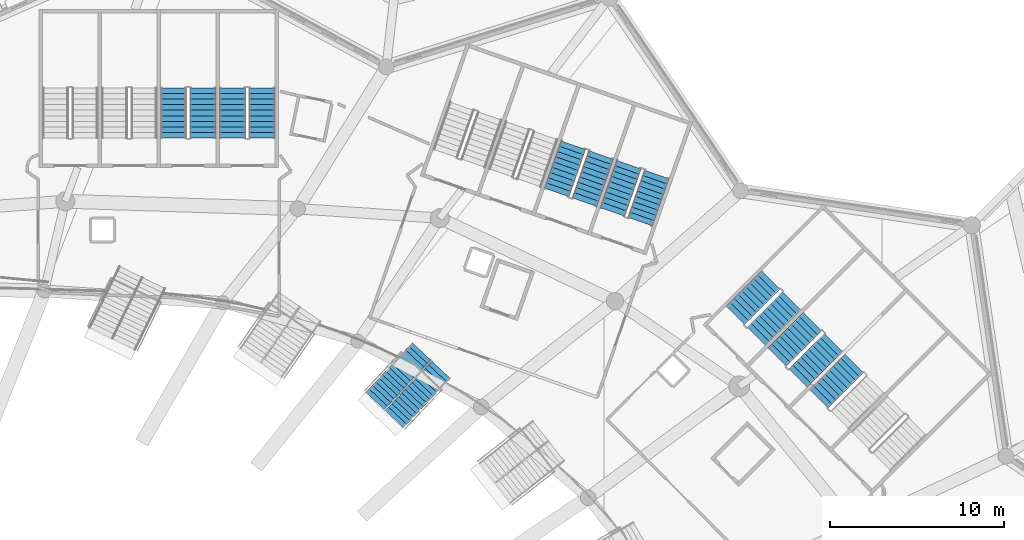
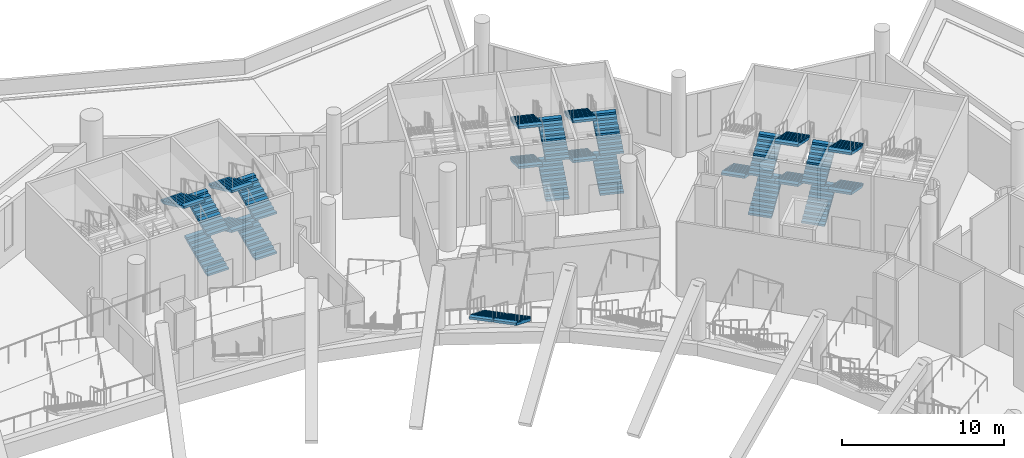
# One storey, part 101 of 173: 26 stair flights, 8 elements without a shape of their own.
"""IFC4 building model written with IfcOpenShell, lengths in metres."""

from ifc_helpers import new_model, si_unit, direction, frame, origin, place, context, subcontext, project, spatial, polyline, outline, extrude, material, type_object, element, aggregate, save


model = new_model("IFC4")

# Units and contexts
model_context = context("Model", 3, precision=1e-05, world=origin(), true_north=direction((0.0, 1.0)))
body_context = subcontext(model_context, "Body", "Model", "MODEL_VIEW")
ifc_project = project(units=[si_unit("LENGTHUNIT", "METRE"), si_unit("AREAUNIT", "SQUARE_METRE"), si_unit("VOLUMEUNIT", "CUBIC_METRE"), si_unit("PLANEANGLEUNIT", "RADIAN"), si_unit("MASSUNIT", "GRAM", prefix="KILO")], contexts=[model_context])

# Site, building, storey
site_placement = place(None, origin())
site = spatial("IfcSite", under=ifc_project, at=site_placement, CompositionType="ELEMENT")
building_placement = place(site_placement, origin())
building = spatial("IfcBuilding", under=site, at=building_placement, Name="Meseta Stadium", CompositionType="ELEMENT")
storey_placement = place(building_placement, frame((0.0, 0.0, 18.0)))
storey = spatial("IfcBuildingStorey", under=building, at=storey_placement, Name="L03", CompositionType="ELEMENT", Elevation=18.0)

# Stair, stair flights
ifc_material_1 = material(Name="Concrete C40/50", Category="concrete")
stair_type_1 = type_object("IfcStairType", Name="Exit stair 4 flights 150 mm risers", PredefinedType="HALF_TURN_STAIR", material=ifc_material_1)
stair_1_placement = place(storey_placement, origin())
stair_1 = element("IfcStair", 1, at=stair_1_placement, inside=storey, type_object=stair_type_1, Name="ST26 L03", PredefinedType="HALF_TURN_STAIR")
ifc_material_2 = material(Name="Concrete C40/50", Category="concrete")
stair_flight_type_1 = type_object("IfcStairFlightType", Name="Exit stair flight 150 mm risers, 4 per storey", PredefinedType="STRAIGHT", material=ifc_material_2)
stair_flight_1_placement = place(storey_placement, frame((78.40673828125, 81.20458984375, 1.5), z_axis=(0.0, 0.0, 1.0), x_axis=(-0.707106781187, -0.707106781187, 0.0)))
stair_flight_1 = element("IfcStairFlight", 2, at=stair_flight_1_placement, type_object=stair_flight_type_1, Name="ST26 L03 flight 2", NumberOfRisers=10, NumberOfTreads=9, PredefinedType="STRAIGHT", RiserHeight=0.15, TreadLength=0.32, context=body_context, shape_type="SweptSolid", body=[
    extrude(outline(polyline([(0.0, 0.0), (0.0, 0.14990234375), (0.320068359375, 0.14990234375), (0.320068359375, 0.300048828125), (0.639892578125, 0.300048828125), (0.639892578125, 0.449951171875), (0.9599609375, 0.449951171875), (0.9599609375, 0.60009765625), (1.280029296875, 0.60009765625), (1.280029296875, 0.75), (1.60009765625, 0.75), (1.60009765625, 0.89990234375), (1.919921875, 0.89990234375), (1.919921875, 1.050048828125), (2.239990234375, 1.050048828125), (2.239990234375, 1.199951171875), (2.56005859375, 1.199951171875), (2.56005859375, 1.35009765625), (2.8798828125, 1.35009765625), (2.8798828125, 1.184326171875), (0.353271484375, 0.0), (0.0, 0.0)])), frame((0.0, 0.75, 0.0), z_axis=(0.0, -1.0, 0.0), x_axis=(1.0, 0.0, 0.0)), (0.0, 0.0, 1.0), 1.5),
])
stair_flight_2_placement = place(storey_placement, frame((78.40673828125, 81.20458984375, 4.5), z_axis=(0.0, 0.0, 1.0), x_axis=(-0.707106781187, -0.707106781187, 0.0)))
stair_flight_2 = element("IfcStairFlight", 3, at=stair_flight_2_placement, type_object=stair_flight_type_1, Name="ST26 L03 flight 4", NumberOfRisers=10, NumberOfTreads=9, PredefinedType="STRAIGHT", RiserHeight=0.15, TreadLength=0.32, context=body_context, shape_type="SweptSolid", body=[
    extrude(outline(polyline([(0.0, 0.0), (0.0, 0.14990234375), (0.320068359375, 0.14990234375), (0.320068359375, 0.300048828125), (0.639892578125, 0.300048828125), (0.639892578125, 0.449951171875), (0.9599609375, 0.449951171875), (0.9599609375, 0.60009765625), (1.280029296875, 0.60009765625), (1.280029296875, 0.75), (1.60009765625, 0.75), (1.60009765625, 0.89990234375), (1.919921875, 0.89990234375), (1.919921875, 1.050048828125), (2.239990234375, 1.050048828125), (2.239990234375, 1.199951171875), (2.56005859375, 1.199951171875), (2.56005859375, 1.35009765625), (2.8798828125, 1.35009765625), (2.8798828125, 1.184326171875), (0.353271484375, 0.0), (0.0, 0.0)])), frame((0.0, 0.75, 0.0), z_axis=(0.0, -1.0, 0.0), x_axis=(1.0, 0.0, 0.0)), (0.0, 0.0, 1.0), 1.5),
])
aggregate(stair_1, [stair_flight_1, stair_flight_2])

stair_2_placement = place(storey_placement, origin())
stair_2 = element("IfcStair", 4, at=stair_2_placement, inside=storey, type_object=stair_type_1, Name="ST27 L03", PredefinedType="HALF_TURN_STAIR")
stair_flight_3_placement = place(storey_placement, frame((75.168212890625, 80.3701171875, 0.0), z_axis=(0.0, 0.0, 1.0), x_axis=(0.707106781187, 0.707106781187, 0.0)))
stair_flight_3 = element("IfcStairFlight", 5, at=stair_flight_3_placement, type_object=stair_flight_type_1, Name="ST27 L03 flight 1", NumberOfRisers=10, NumberOfTreads=9, PredefinedType="STRAIGHT", RiserHeight=0.15, TreadLength=0.32, context=body_context, shape_type="SweptSolid", body=[
    extrude(outline(polyline([(0.0, 0.0), (0.0, 0.14990234375), (0.320068359375, 0.14990234375), (0.320068359375, 0.300048828125), (0.639892578125, 0.300048828125), (0.639892578125, 0.449951171875), (0.9599609375, 0.449951171875), (0.9599609375, 0.60009765625), (1.280029296875, 0.60009765625), (1.280029296875, 0.75), (1.60009765625, 0.75), (1.60009765625, 0.89990234375), (1.919921875, 0.89990234375), (1.919921875, 1.050048828125), (2.239990234375, 1.050048828125), (2.239990234375, 1.199951171875), (2.56005859375, 1.199951171875), (2.56005859375, 1.35009765625), (2.8798828125, 1.35009765625), (2.8798828125, 1.184326171875), (0.353271484375, 0.0), (0.0, 0.0)])), frame((0.0, 0.75, 0.0), z_axis=(0.0, -1.0, 0.0), x_axis=(1.0, 0.0, 0.0)), (0.0, 0.0, 1.0), 1.5),
])
stair_flight_4_placement = place(storey_placement, frame((76.00244140625, 83.60888671875, 1.5), z_axis=(0.0, 0.0, 1.0), x_axis=(-0.707106781187, -0.707106781187, 0.0)))
stair_flight_4 = element("IfcStairFlight", 6, at=stair_flight_4_placement, type_object=stair_flight_type_1, Name="ST27 L03 flight 2", NumberOfRisers=10, NumberOfTreads=9, PredefinedType="STRAIGHT", RiserHeight=0.15, TreadLength=0.32, context=body_context, shape_type="SweptSolid", body=[
    extrude(outline(polyline([(0.0, 0.0), (0.0, 0.14990234375), (0.320068359375, 0.14990234375), (0.320068359375, 0.300048828125), (0.639892578125, 0.300048828125), (0.639892578125, 0.449951171875), (0.9599609375, 0.449951171875), (0.9599609375, 0.60009765625), (1.280029296875, 0.60009765625), (1.280029296875, 0.75), (1.60009765625, 0.75), (1.60009765625, 0.89990234375), (1.919921875, 0.89990234375), (1.919921875, 1.050048828125), (2.239990234375, 1.050048828125), (2.239990234375, 1.199951171875), (2.56005859375, 1.199951171875), (2.56005859375, 1.35009765625), (2.8798828125, 1.35009765625), (2.8798828125, 1.184326171875), (0.353271484375, 0.0), (0.0, 0.0)])), frame((0.0, 0.75, 0.0), z_axis=(0.0, -1.0, 0.0), x_axis=(1.0, 0.0, 0.0)), (0.0, 0.0, 1.0), 1.5),
])
stair_flight_5_placement = place(storey_placement, frame((75.168212890625, 80.3701171875, 3.0), z_axis=(0.0, 0.0, 1.0), x_axis=(0.707106781187, 0.707106781187, 0.0)))
stair_flight_5 = element("IfcStairFlight", 7, at=stair_flight_5_placement, type_object=stair_flight_type_1, Name="ST27 L03 flight 3", NumberOfRisers=10, NumberOfTreads=9, PredefinedType="STRAIGHT", RiserHeight=0.15, TreadLength=0.32, context=body_context, shape_type="SweptSolid", body=[
    extrude(outline(polyline([(0.0, 0.0), (0.0, 0.14990234375), (0.320068359375, 0.14990234375), (0.320068359375, 0.300048828125), (0.639892578125, 0.300048828125), (0.639892578125, 0.449951171875), (0.9599609375, 0.449951171875), (0.9599609375, 0.60009765625), (1.280029296875, 0.60009765625), (1.280029296875, 0.75), (1.60009765625, 0.75), (1.60009765625, 0.89990234375), (1.919921875, 0.89990234375), (1.919921875, 1.050048828125), (2.239990234375, 1.050048828125), (2.239990234375, 1.199951171875), (2.56005859375, 1.199951171875), (2.56005859375, 1.35009765625), (2.8798828125, 1.35009765625), (2.8798828125, 1.184326171875), (0.353271484375, 0.0), (0.0, 0.0)])), frame((0.0, 0.75, 0.0), z_axis=(0.0, -1.0, 0.0), x_axis=(1.0, 0.0, 0.0)), (0.0, 0.0, 1.0), 1.5),
])
stair_flight_6_placement = place(storey_placement, frame((76.00244140625, 83.60888671875, 4.5), z_axis=(0.0, 0.0, 1.0), x_axis=(-0.707106781187, -0.707106781187, 0.0)))
stair_flight_6 = element("IfcStairFlight", 8, at=stair_flight_6_placement, type_object=stair_flight_type_1, Name="ST27 L03 flight 4", NumberOfRisers=10, NumberOfTreads=9, PredefinedType="STRAIGHT", RiserHeight=0.15, TreadLength=0.32, context=body_context, shape_type="SweptSolid", body=[
    extrude(outline(polyline([(0.0, 0.0), (0.0, 0.14990234375), (0.320068359375, 0.14990234375), (0.320068359375, 0.300048828125), (0.639892578125, 0.300048828125), (0.639892578125, 0.449951171875), (0.9599609375, 0.449951171875), (0.9599609375, 0.60009765625), (1.280029296875, 0.60009765625), (1.280029296875, 0.75), (1.60009765625, 0.75), (1.60009765625, 0.89990234375), (1.919921875, 0.89990234375), (1.919921875, 1.050048828125), (2.239990234375, 1.050048828125), (2.239990234375, 1.199951171875), (2.56005859375, 1.199951171875), (2.56005859375, 1.35009765625), (2.8798828125, 1.35009765625), (2.8798828125, 1.184326171875), (0.353271484375, 0.0), (0.0, 0.0)])), frame((0.0, 0.75, 0.0), z_axis=(0.0, -1.0, 0.0), x_axis=(1.0, 0.0, 0.0)), (0.0, 0.0, 1.0), 1.5),
])
aggregate(stair_2, [stair_flight_3, stair_flight_4, stair_flight_5, stair_flight_6])

stair_3_placement = place(storey_placement, origin())
stair_3 = element("IfcStair", 9, at=stair_3_placement, inside=storey, type_object=stair_type_1, Name="ST28 L03", PredefinedType="HALF_TURN_STAIR")
stair_flight_7_placement = place(storey_placement, frame((72.763916015625, 82.7744140625, 0.0), z_axis=(0.0, 0.0, 1.0), x_axis=(0.707106781187, 0.707106781187, 0.0)))
stair_flight_7 = element("IfcStairFlight", 10, at=stair_flight_7_placement, type_object=stair_flight_type_1, Name="ST28 L03 flight 1", NumberOfRisers=10, NumberOfTreads=9, PredefinedType="STRAIGHT", RiserHeight=0.15, TreadLength=0.32, context=body_context, shape_type="SweptSolid", body=[
    extrude(outline(polyline([(0.0, 0.0), (0.0, 0.14990234375), (0.320068359375, 0.14990234375), (0.320068359375, 0.300048828125), (0.639892578125, 0.300048828125), (0.639892578125, 0.449951171875), (0.9599609375, 0.449951171875), (0.9599609375, 0.60009765625), (1.280029296875, 0.60009765625), (1.280029296875, 0.75), (1.60009765625, 0.75), (1.60009765625, 0.89990234375), (1.919921875, 0.89990234375), (1.919921875, 1.050048828125), (2.239990234375, 1.050048828125), (2.239990234375, 1.199951171875), (2.56005859375, 1.199951171875), (2.56005859375, 1.35009765625), (2.8798828125, 1.35009765625), (2.8798828125, 1.184326171875), (0.353271484375, 0.0), (0.0, 0.0)])), frame((0.0, 0.75, 0.0), z_axis=(0.0, -1.0, 0.0), x_axis=(1.0, 0.0, 0.0)), (0.0, 0.0, 1.0), 1.5),
])
stair_flight_8_placement = place(storey_placement, frame((73.598388671875, 86.012939453125, 1.5), z_axis=(0.0, 0.0, 1.0), x_axis=(-0.707106781187, -0.707106781187, 0.0)))
stair_flight_8 = element("IfcStairFlight", 11, at=stair_flight_8_placement, type_object=stair_flight_type_1, Name="ST28 L03 flight 2", NumberOfRisers=10, NumberOfTreads=9, PredefinedType="STRAIGHT", RiserHeight=0.15, TreadLength=0.32, context=body_context, shape_type="SweptSolid", body=[
    extrude(outline(polyline([(0.0, 0.0), (0.0, 0.14990234375), (0.320068359375, 0.14990234375), (0.320068359375, 0.300048828125), (0.639892578125, 0.300048828125), (0.639892578125, 0.449951171875), (0.9599609375, 0.449951171875), (0.9599609375, 0.60009765625), (1.280029296875, 0.60009765625), (1.280029296875, 0.75), (1.60009765625, 0.75), (1.60009765625, 0.89990234375), (1.919921875, 0.89990234375), (1.919921875, 1.050048828125), (2.239990234375, 1.050048828125), (2.239990234375, 1.199951171875), (2.56005859375, 1.199951171875), (2.56005859375, 1.35009765625), (2.8798828125, 1.35009765625), (2.8798828125, 1.184326171875), (0.353271484375, 0.0), (0.0, 0.0)])), frame((0.0, 0.75, 0.0), z_axis=(0.0, -1.0, 0.0), x_axis=(1.0, 0.0, 0.0)), (0.0, 0.0, 1.0), 1.5),
])
stair_flight_9_placement = place(storey_placement, frame((72.763916015625, 82.7744140625, 3.0), z_axis=(0.0, 0.0, 1.0), x_axis=(0.707106781187, 0.707106781187, 0.0)))
stair_flight_9 = element("IfcStairFlight", 12, at=stair_flight_9_placement, type_object=stair_flight_type_1, Name="ST28 L03 flight 3", NumberOfRisers=10, NumberOfTreads=9, PredefinedType="STRAIGHT", RiserHeight=0.15, TreadLength=0.32, context=body_context, shape_type="SweptSolid", body=[
    extrude(outline(polyline([(0.0, 0.0), (0.0, 0.14990234375), (0.320068359375, 0.14990234375), (0.320068359375, 0.300048828125), (0.639892578125, 0.300048828125), (0.639892578125, 0.449951171875), (0.9599609375, 0.449951171875), (0.9599609375, 0.60009765625), (1.280029296875, 0.60009765625), (1.280029296875, 0.75), (1.60009765625, 0.75), (1.60009765625, 0.89990234375), (1.919921875, 0.89990234375), (1.919921875, 1.050048828125), (2.239990234375, 1.050048828125), (2.239990234375, 1.199951171875), (2.56005859375, 1.199951171875), (2.56005859375, 1.35009765625), (2.8798828125, 1.35009765625), (2.8798828125, 1.184326171875), (0.353271484375, 0.0), (0.0, 0.0)])), frame((0.0, 0.75, 0.0), z_axis=(0.0, -1.0, 0.0), x_axis=(1.0, 0.0, 0.0)), (0.0, 0.0, 1.0), 1.5),
])
aggregate(stair_3, [stair_flight_7, stair_flight_8, stair_flight_9])

stair_4_placement = place(storey_placement, origin())
stair_4 = element("IfcStair", 13, at=stair_4_placement, inside=storey, type_object=stair_type_1, Name="ST29 L03", PredefinedType="HALF_TURN_STAIR")
stair_flight_10_placement = place(storey_placement, frame((66.082275390625, 89.376953125, 0.0), z_axis=(0.0, 0.0, 1.0), x_axis=(0.330279057248, 0.943883331955, 0.0)))
stair_flight_10 = element("IfcStairFlight", 14, at=stair_flight_10_placement, type_object=stair_flight_type_1, Name="ST29 L03 flight 1", NumberOfRisers=10, NumberOfTreads=9, PredefinedType="STRAIGHT", RiserHeight=0.15, TreadLength=0.32, context=body_context, shape_type="SweptSolid", body=[
    extrude(outline(polyline([(0.0, 0.0), (0.0, 0.14990234375), (0.320068359375, 0.14990234375), (0.320068359375, 0.300048828125), (0.639892578125, 0.300048828125), (0.639892578125, 0.449951171875), (0.9599609375, 0.449951171875), (0.9599609375, 0.60009765625), (1.280029296875, 0.60009765625), (1.280029296875, 0.75), (1.60009765625, 0.75), (1.60009765625, 0.89990234375), (1.919921875, 0.89990234375), (1.919921875, 1.050048828125), (2.239990234375, 1.050048828125), (2.239990234375, 1.199951171875), (2.56005859375, 1.199951171875), (2.56005859375, 1.35009765625), (2.8798828125, 1.35009765625), (2.8798828125, 1.184326171875), (0.353271484375, 0.0), (0.0, 0.0)])), frame((0.0, 0.75, 0.0), z_axis=(0.0, -1.0, 0.0), x_axis=(1.0, 0.0, 0.0)), (0.0, 0.0, 1.0), 1.5),
])
stair_flight_11_placement = place(storey_placement, frame((65.428955078125, 92.65673828125, 1.5), z_axis=(0.0, 0.0, 1.0), x_axis=(-0.330279057248, -0.943883331955, 0.0)))
stair_flight_11 = element("IfcStairFlight", 15, at=stair_flight_11_placement, type_object=stair_flight_type_1, Name="ST29 L03 flight 2", NumberOfRisers=10, NumberOfTreads=9, PredefinedType="STRAIGHT", RiserHeight=0.15, TreadLength=0.32, context=body_context, shape_type="SweptSolid", body=[
    extrude(outline(polyline([(0.0, 0.0), (0.0, 0.14990234375), (0.320068359375, 0.14990234375), (0.320068359375, 0.300048828125), (0.639892578125, 0.300048828125), (0.639892578125, 0.449951171875), (0.9599609375, 0.449951171875), (0.9599609375, 0.60009765625), (1.280029296875, 0.60009765625), (1.280029296875, 0.75), (1.60009765625, 0.75), (1.60009765625, 0.89990234375), (1.919921875, 0.89990234375), (1.919921875, 1.050048828125), (2.239990234375, 1.050048828125), (2.239990234375, 1.199951171875), (2.56005859375, 1.199951171875), (2.56005859375, 1.35009765625), (2.8798828125, 1.35009765625), (2.8798828125, 1.184326171875), (0.353271484375, 0.0), (0.0, 0.0)])), frame((0.0, 0.75, 0.0), z_axis=(0.0, -1.0, 0.0), x_axis=(1.0, 0.0, 0.0)), (0.0, 0.0, 1.0), 1.5),
])
stair_flight_12_placement = place(storey_placement, frame((66.082275390625, 89.376953125, 3.0), z_axis=(0.0, 0.0, 1.0), x_axis=(0.330279057248, 0.943883331955, 0.0)))
stair_flight_12 = element("IfcStairFlight", 16, at=stair_flight_12_placement, type_object=stair_flight_type_1, Name="ST29 L03 flight 3", NumberOfRisers=10, NumberOfTreads=9, PredefinedType="STRAIGHT", RiserHeight=0.15, TreadLength=0.32, context=body_context, shape_type="SweptSolid", body=[
    extrude(outline(polyline([(0.0, 0.0), (0.0, 0.14990234375), (0.320068359375, 0.14990234375), (0.320068359375, 0.300048828125), (0.639892578125, 0.300048828125), (0.639892578125, 0.449951171875), (0.9599609375, 0.449951171875), (0.9599609375, 0.60009765625), (1.280029296875, 0.60009765625), (1.280029296875, 0.75), (1.60009765625, 0.75), (1.60009765625, 0.89990234375), (1.919921875, 0.89990234375), (1.919921875, 1.050048828125), (2.239990234375, 1.050048828125), (2.239990234375, 1.199951171875), (2.56005859375, 1.199951171875), (2.56005859375, 1.35009765625), (2.8798828125, 1.35009765625), (2.8798828125, 1.184326171875), (0.353271484375, 0.0), (0.0, 0.0)])), frame((0.0, 0.75, 0.0), z_axis=(0.0, -1.0, 0.0), x_axis=(1.0, 0.0, 0.0)), (0.0, 0.0, 1.0), 1.5),
])
stair_flight_13_placement = place(storey_placement, frame((65.428955078125, 92.65673828125, 4.5), z_axis=(0.0, 0.0, 1.0), x_axis=(-0.330279057248, -0.943883331955, 0.0)))
stair_flight_13 = element("IfcStairFlight", 17, at=stair_flight_13_placement, type_object=stair_flight_type_1, Name="ST29 L03 flight 4", NumberOfRisers=10, NumberOfTreads=9, PredefinedType="STRAIGHT", RiserHeight=0.15, TreadLength=0.32, context=body_context, shape_type="SweptSolid", body=[
    extrude(outline(polyline([(0.0, 0.0), (0.0, 0.14990234375), (0.320068359375, 0.14990234375), (0.320068359375, 0.300048828125), (0.639892578125, 0.300048828125), (0.639892578125, 0.449951171875), (0.9599609375, 0.449951171875), (0.9599609375, 0.60009765625), (1.280029296875, 0.60009765625), (1.280029296875, 0.75), (1.60009765625, 0.75), (1.60009765625, 0.89990234375), (1.919921875, 0.89990234375), (1.919921875, 1.050048828125), (2.239990234375, 1.050048828125), (2.239990234375, 1.199951171875), (2.56005859375, 1.199951171875), (2.56005859375, 1.35009765625), (2.8798828125, 1.35009765625), (2.8798828125, 1.184326171875), (0.353271484375, 0.0), (0.0, 0.0)])), frame((0.0, 0.75, 0.0), z_axis=(0.0, -1.0, 0.0), x_axis=(1.0, 0.0, 0.0)), (0.0, 0.0, 1.0), 1.5),
])
aggregate(stair_4, [stair_flight_10, stair_flight_11, stair_flight_12, stair_flight_13])

stair_5_placement = place(storey_placement, origin())
stair_5 = element("IfcStair", 18, at=stair_5_placement, inside=storey, type_object=stair_type_1, Name="ST30 L03", PredefinedType="HALF_TURN_STAIR")
stair_flight_14_placement = place(storey_placement, frame((62.873046875, 90.5, 0.0), z_axis=(0.0, 0.0, 1.0), x_axis=(0.330279057248, 0.943883331955, 0.0)))
stair_flight_14 = element("IfcStairFlight", 19, at=stair_flight_14_placement, type_object=stair_flight_type_1, Name="ST30 L03 flight 1", NumberOfRisers=10, NumberOfTreads=9, PredefinedType="STRAIGHT", RiserHeight=0.15, TreadLength=0.32, context=body_context, shape_type="SweptSolid", body=[
    extrude(outline(polyline([(0.0, 0.0), (0.0, 0.14990234375), (0.320068359375, 0.14990234375), (0.320068359375, 0.300048828125), (0.639892578125, 0.300048828125), (0.639892578125, 0.449951171875), (0.9599609375, 0.449951171875), (0.9599609375, 0.60009765625), (1.280029296875, 0.60009765625), (1.280029296875, 0.75), (1.60009765625, 0.75), (1.60009765625, 0.89990234375), (1.919921875, 0.89990234375), (1.919921875, 1.050048828125), (2.239990234375, 1.050048828125), (2.239990234375, 1.199951171875), (2.56005859375, 1.199951171875), (2.56005859375, 1.35009765625), (2.8798828125, 1.35009765625), (2.8798828125, 1.184326171875), (0.353271484375, 0.0), (0.0, 0.0)])), frame((0.0, 0.75, 0.0), z_axis=(0.0, -1.0, 0.0), x_axis=(1.0, 0.0, 0.0)), (0.0, 0.0, 1.0), 1.5),
])
stair_flight_15_placement = place(storey_placement, frame((62.2197265625, 93.77978515625, 1.5), z_axis=(0.0, 0.0, 1.0), x_axis=(-0.330279057248, -0.943883331955, 0.0)))
stair_flight_15 = element("IfcStairFlight", 20, at=stair_flight_15_placement, type_object=stair_flight_type_1, Name="ST30 L03 flight 2", NumberOfRisers=10, NumberOfTreads=9, PredefinedType="STRAIGHT", RiserHeight=0.15, TreadLength=0.32, context=body_context, shape_type="SweptSolid", body=[
    extrude(outline(polyline([(0.0, 0.0), (0.0, 0.14990234375), (0.320068359375, 0.14990234375), (0.320068359375, 0.300048828125), (0.639892578125, 0.300048828125), (0.639892578125, 0.449951171875), (0.9599609375, 0.449951171875), (0.9599609375, 0.60009765625), (1.280029296875, 0.60009765625), (1.280029296875, 0.75), (1.60009765625, 0.75), (1.60009765625, 0.89990234375), (1.919921875, 0.89990234375), (1.919921875, 1.050048828125), (2.239990234375, 1.050048828125), (2.239990234375, 1.199951171875), (2.56005859375, 1.199951171875), (2.56005859375, 1.35009765625), (2.8798828125, 1.35009765625), (2.8798828125, 1.184326171875), (0.353271484375, 0.0), (0.0, 0.0)])), frame((0.0, 0.75, 0.0), z_axis=(0.0, -1.0, 0.0), x_axis=(1.0, 0.0, 0.0)), (0.0, 0.0, 1.0), 1.5),
])
stair_flight_16_placement = place(storey_placement, frame((62.873046875, 90.5, 3.0), z_axis=(0.0, 0.0, 1.0), x_axis=(0.330279057248, 0.943883331955, 0.0)))
stair_flight_16 = element("IfcStairFlight", 21, at=stair_flight_16_placement, type_object=stair_flight_type_1, Name="ST30 L03 flight 3", NumberOfRisers=10, NumberOfTreads=9, PredefinedType="STRAIGHT", RiserHeight=0.15, TreadLength=0.32, context=body_context, shape_type="SweptSolid", body=[
    extrude(outline(polyline([(0.0, 0.0), (0.0, 0.14990234375), (0.320068359375, 0.14990234375), (0.320068359375, 0.300048828125), (0.639892578125, 0.300048828125), (0.639892578125, 0.449951171875), (0.9599609375, 0.449951171875), (0.9599609375, 0.60009765625), (1.280029296875, 0.60009765625), (1.280029296875, 0.75), (1.60009765625, 0.75), (1.60009765625, 0.89990234375), (1.919921875, 0.89990234375), (1.919921875, 1.050048828125), (2.239990234375, 1.050048828125), (2.239990234375, 1.199951171875), (2.56005859375, 1.199951171875), (2.56005859375, 1.35009765625), (2.8798828125, 1.35009765625), (2.8798828125, 1.184326171875), (0.353271484375, 0.0), (0.0, 0.0)])), frame((0.0, 0.75, 0.0), z_axis=(0.0, -1.0, 0.0), x_axis=(1.0, 0.0, 0.0)), (0.0, 0.0, 1.0), 1.5),
])
stair_flight_17_placement = place(storey_placement, frame((62.2197265625, 93.77978515625, 4.5), z_axis=(0.0, 0.0, 1.0), x_axis=(-0.330279057248, -0.943883331955, 0.0)))
stair_flight_17 = element("IfcStairFlight", 22, at=stair_flight_17_placement, type_object=stair_flight_type_1, Name="ST30 L03 flight 4", NumberOfRisers=10, NumberOfTreads=9, PredefinedType="STRAIGHT", RiserHeight=0.15, TreadLength=0.32, context=body_context, shape_type="SweptSolid", body=[
    extrude(outline(polyline([(0.0, 0.0), (0.0, 0.14990234375), (0.320068359375, 0.14990234375), (0.320068359375, 0.300048828125), (0.639892578125, 0.300048828125), (0.639892578125, 0.449951171875), (0.9599609375, 0.449951171875), (0.9599609375, 0.60009765625), (1.280029296875, 0.60009765625), (1.280029296875, 0.75), (1.60009765625, 0.75), (1.60009765625, 0.89990234375), (1.919921875, 0.89990234375), (1.919921875, 1.050048828125), (2.239990234375, 1.050048828125), (2.239990234375, 1.199951171875), (2.56005859375, 1.199951171875), (2.56005859375, 1.35009765625), (2.8798828125, 1.35009765625), (2.8798828125, 1.184326171875), (0.353271484375, 0.0), (0.0, 0.0)])), frame((0.0, 0.75, 0.0), z_axis=(0.0, -1.0, 0.0), x_axis=(1.0, 0.0, 0.0)), (0.0, 0.0, 1.0), 1.5),
])
aggregate(stair_5, [stair_flight_14, stair_flight_15, stair_flight_16, stair_flight_17])

stair_6_placement = place(storey_placement, origin())
stair_6 = element("IfcStair", 23, at=stair_6_placement, inside=storey, type_object=stair_type_1, Name="ST33 L03", PredefinedType="HALF_TURN_STAIR")
stair_flight_18_placement = place(storey_placement, frame((44.283447265625, 94.199951171875, 0.0), z_axis=(0.0, 0.0, 1.0), x_axis=(0.0, 1.0, 0.0)))
stair_flight_18 = element("IfcStairFlight", 24, at=stair_flight_18_placement, type_object=stair_flight_type_1, Name="ST33 L03 flight 1", NumberOfRisers=10, NumberOfTreads=9, PredefinedType="STRAIGHT", RiserHeight=0.15, TreadLength=0.32, context=body_context, shape_type="SweptSolid", body=[
    extrude(outline(polyline([(0.0, 0.0), (0.0, 0.14990234375), (0.320068359375, 0.14990234375), (0.320068359375, 0.300048828125), (0.639892578125, 0.300048828125), (0.639892578125, 0.449951171875), (0.9599609375, 0.449951171875), (0.9599609375, 0.60009765625), (1.280029296875, 0.60009765625), (1.280029296875, 0.75), (1.60009765625, 0.75), (1.60009765625, 0.89990234375), (1.919921875, 0.89990234375), (1.919921875, 1.050048828125), (2.239990234375, 1.050048828125), (2.239990234375, 1.199951171875), (2.56005859375, 1.199951171875), (2.56005859375, 1.35009765625), (2.8798828125, 1.35009765625), (2.8798828125, 1.184326171875), (0.353271484375, 0.0), (0.0, 0.0)])), frame((0.0, 0.75, 0.0), z_axis=(0.0, -1.0, 0.0), x_axis=(1.0, 0.0, 0.0)), (0.0, 0.0, 1.0), 1.5),
])
stair_flight_19_placement = place(storey_placement, frame((42.583251953125, 97.080078125, 1.5), z_axis=(0.0, 0.0, 1.0), x_axis=(0.0, -1.0, 0.0)))
stair_flight_19 = element("IfcStairFlight", 25, at=stair_flight_19_placement, type_object=stair_flight_type_1, Name="ST33 L03 flight 2", NumberOfRisers=10, NumberOfTreads=9, PredefinedType="STRAIGHT", RiserHeight=0.15, TreadLength=0.32, context=body_context, shape_type="SweptSolid", body=[
    extrude(outline(polyline([(0.0, 0.0), (0.0, 0.14990234375), (0.320068359375, 0.14990234375), (0.320068359375, 0.300048828125), (0.639892578125, 0.300048828125), (0.639892578125, 0.449951171875), (0.9599609375, 0.449951171875), (0.9599609375, 0.60009765625), (1.280029296875, 0.60009765625), (1.280029296875, 0.75), (1.60009765625, 0.75), (1.60009765625, 0.89990234375), (1.919921875, 0.89990234375), (1.919921875, 1.050048828125), (2.239990234375, 1.050048828125), (2.239990234375, 1.199951171875), (2.56005859375, 1.199951171875), (2.56005859375, 1.35009765625), (2.8798828125, 1.35009765625), (2.8798828125, 1.184326171875), (0.353271484375, 0.0), (0.0, 0.0)])), frame((0.0, 0.75, 0.0), z_axis=(0.0, -1.0, 0.0), x_axis=(1.0, 0.0, 0.0)), (0.0, 0.0, 1.0), 1.5),
])
stair_flight_20_placement = place(storey_placement, frame((44.283447265625, 94.199951171875, 3.0), z_axis=(0.0, 0.0, 1.0), x_axis=(0.0, 1.0, 0.0)))
stair_flight_20 = element("IfcStairFlight", 26, at=stair_flight_20_placement, type_object=stair_flight_type_1, Name="ST33 L03 flight 3", NumberOfRisers=10, NumberOfTreads=9, PredefinedType="STRAIGHT", RiserHeight=0.15, TreadLength=0.32, context=body_context, shape_type="SweptSolid", body=[
    extrude(outline(polyline([(0.0, 0.0), (0.0, 0.14990234375), (0.320068359375, 0.14990234375), (0.320068359375, 0.300048828125), (0.639892578125, 0.300048828125), (0.639892578125, 0.449951171875), (0.9599609375, 0.449951171875), (0.9599609375, 0.60009765625), (1.280029296875, 0.60009765625), (1.280029296875, 0.75), (1.60009765625, 0.75), (1.60009765625, 0.89990234375), (1.919921875, 0.89990234375), (1.919921875, 1.050048828125), (2.239990234375, 1.050048828125), (2.239990234375, 1.199951171875), (2.56005859375, 1.199951171875), (2.56005859375, 1.35009765625), (2.8798828125, 1.35009765625), (2.8798828125, 1.184326171875), (0.353271484375, 0.0), (0.0, 0.0)])), frame((0.0, 0.75, 0.0), z_axis=(0.0, -1.0, 0.0), x_axis=(1.0, 0.0, 0.0)), (0.0, 0.0, 1.0), 1.5),
])
stair_flight_21_placement = place(storey_placement, frame((42.583251953125, 97.080078125, 4.5), z_axis=(0.0, 0.0, 1.0), x_axis=(0.0, -1.0, 0.0)))
stair_flight_21 = element("IfcStairFlight", 27, at=stair_flight_21_placement, type_object=stair_flight_type_1, Name="ST33 L03 flight 4", NumberOfRisers=10, NumberOfTreads=9, PredefinedType="STRAIGHT", RiserHeight=0.15, TreadLength=0.32, context=body_context, shape_type="SweptSolid", body=[
    extrude(outline(polyline([(0.0, 0.0), (0.0, 0.14990234375), (0.320068359375, 0.14990234375), (0.320068359375, 0.300048828125), (0.639892578125, 0.300048828125), (0.639892578125, 0.449951171875), (0.9599609375, 0.449951171875), (0.9599609375, 0.60009765625), (1.280029296875, 0.60009765625), (1.280029296875, 0.75), (1.60009765625, 0.75), (1.60009765625, 0.89990234375), (1.919921875, 0.89990234375), (1.919921875, 1.050048828125), (2.239990234375, 1.050048828125), (2.239990234375, 1.199951171875), (2.56005859375, 1.199951171875), (2.56005859375, 1.35009765625), (2.8798828125, 1.35009765625), (2.8798828125, 1.184326171875), (0.353271484375, 0.0), (0.0, 0.0)])), frame((0.0, 0.75, 0.0), z_axis=(0.0, -1.0, 0.0), x_axis=(1.0, 0.0, 0.0)), (0.0, 0.0, 1.0), 1.5),
])
aggregate(stair_6, [stair_flight_18, stair_flight_19, stair_flight_20, stair_flight_21])

stair_7_placement = place(storey_placement, origin())
stair_7 = element("IfcStair", 28, at=stair_7_placement, inside=storey, type_object=stair_type_1, Name="ST34 L03", PredefinedType="HALF_TURN_STAIR")
stair_flight_22_placement = place(storey_placement, frame((40.88330078125, 94.199951171875, 0.0), z_axis=(0.0, 0.0, 1.0), x_axis=(0.0, 1.0, 0.0)))
stair_flight_22 = element("IfcStairFlight", 29, at=stair_flight_22_placement, type_object=stair_flight_type_1, Name="ST34 L03 flight 1", NumberOfRisers=10, NumberOfTreads=9, PredefinedType="STRAIGHT", RiserHeight=0.15, TreadLength=0.32, context=body_context, shape_type="SweptSolid", body=[
    extrude(outline(polyline([(0.0, 0.0), (0.0, 0.14990234375), (0.320068359375, 0.14990234375), (0.320068359375, 0.300048828125), (0.639892578125, 0.300048828125), (0.639892578125, 0.449951171875), (0.9599609375, 0.449951171875), (0.9599609375, 0.60009765625), (1.280029296875, 0.60009765625), (1.280029296875, 0.75), (1.60009765625, 0.75), (1.60009765625, 0.89990234375), (1.919921875, 0.89990234375), (1.919921875, 1.050048828125), (2.239990234375, 1.050048828125), (2.239990234375, 1.199951171875), (2.56005859375, 1.199951171875), (2.56005859375, 1.35009765625), (2.8798828125, 1.35009765625), (2.8798828125, 1.184326171875), (0.353271484375, 0.0), (0.0, 0.0)])), frame((0.0, 0.75, 0.0), z_axis=(0.0, -1.0, 0.0), x_axis=(1.0, 0.0, 0.0)), (0.0, 0.0, 1.0), 1.5),
])
stair_flight_23_placement = place(storey_placement, frame((40.88330078125, 94.199951171875, 3.0), z_axis=(0.0, 0.0, 1.0), x_axis=(0.0, 1.0, 0.0)))
stair_flight_23 = element("IfcStairFlight", 30, at=stair_flight_23_placement, type_object=stair_flight_type_1, Name="ST34 L03 flight 3", NumberOfRisers=10, NumberOfTreads=9, PredefinedType="STRAIGHT", RiserHeight=0.15, TreadLength=0.32, context=body_context, shape_type="SweptSolid", body=[
    extrude(outline(polyline([(0.0, 0.0), (0.0, 0.14990234375), (0.320068359375, 0.14990234375), (0.320068359375, 0.300048828125), (0.639892578125, 0.300048828125), (0.639892578125, 0.449951171875), (0.9599609375, 0.449951171875), (0.9599609375, 0.60009765625), (1.280029296875, 0.60009765625), (1.280029296875, 0.75), (1.60009765625, 0.75), (1.60009765625, 0.89990234375), (1.919921875, 0.89990234375), (1.919921875, 1.050048828125), (2.239990234375, 1.050048828125), (2.239990234375, 1.199951171875), (2.56005859375, 1.199951171875), (2.56005859375, 1.35009765625), (2.8798828125, 1.35009765625), (2.8798828125, 1.184326171875), (0.353271484375, 0.0), (0.0, 0.0)])), frame((0.0, 0.75, 0.0), z_axis=(0.0, -1.0, 0.0), x_axis=(1.0, 0.0, 0.0)), (0.0, 0.0, 1.0), 1.5),
])
stair_flight_24_placement = place(storey_placement, frame((39.183349609375, 97.080078125, 4.5), z_axis=(0.0, 0.0, 1.0), x_axis=(0.0, -1.0, 0.0)))
stair_flight_24 = element("IfcStairFlight", 31, at=stair_flight_24_placement, type_object=stair_flight_type_1, Name="ST34 L03 flight 4", NumberOfRisers=10, NumberOfTreads=9, PredefinedType="STRAIGHT", RiserHeight=0.15, TreadLength=0.32, context=body_context, shape_type="SweptSolid", body=[
    extrude(outline(polyline([(0.0, 0.0), (0.0, 0.14990234375), (0.320068359375, 0.14990234375), (0.320068359375, 0.300048828125), (0.639892578125, 0.300048828125), (0.639892578125, 0.449951171875), (0.9599609375, 0.449951171875), (0.9599609375, 0.60009765625), (1.280029296875, 0.60009765625), (1.280029296875, 0.75), (1.60009765625, 0.75), (1.60009765625, 0.89990234375), (1.919921875, 0.89990234375), (1.919921875, 1.050048828125), (2.239990234375, 1.050048828125), (2.239990234375, 1.199951171875), (2.56005859375, 1.199951171875), (2.56005859375, 1.35009765625), (2.8798828125, 1.35009765625), (2.8798828125, 1.184326171875), (0.353271484375, 0.0), (0.0, 0.0)])), frame((0.0, 0.75, 0.0), z_axis=(0.0, -1.0, 0.0), x_axis=(1.0, 0.0, 0.0)), (0.0, 0.0, 1.0), 1.5),
])
aggregate(stair_7, [stair_flight_22, stair_flight_23, stair_flight_24])

ifc_material_3 = material(Name="Concrete C40/50", Category="concrete")
stair_type_2 = type_object("IfcStairType", Name="Vomitory stair 3000", PredefinedType="STRAIGHT_RUN_STAIR", material=ifc_material_3)
stair_8_placement = place(storey_placement, origin())
stair_8 = element("IfcStair", 32, at=stair_8_placement, inside=storey, type_object=stair_type_2, Name="Vomitory V-upper-14", PredefinedType="STRAIGHT_RUN_STAIR")
ifc_material_4 = material(Name="Concrete C40/50", Category="concrete")
stair_flight_type_2 = type_object("IfcStairFlightType", Name="Vomitory stair flight 1450", PredefinedType="STRAIGHT", material=ifc_material_4)
stair_flight_25_placement = place(storey_placement, frame((54.595947265625, 80.83837890625, 0.0), z_axis=(0.0, 0.0, 1.0), x_axis=(-0.686064733008, -0.72754050205, 0.0)))
stair_flight_25 = element("IfcStairFlight", 33, at=stair_flight_25_placement, type_object=stair_flight_type_2, Name="Vomitory V-upper-14 flight 1", NumberOfRisers=15, NumberOfTreads=14, PredefinedType="STRAIGHT", RiserHeight=0.164873, TreadLength=0.28, context=body_context, shape_type="SweptSolid", body=[
    extrude(outline(polyline([(0.0, 0.0), (0.0, 0.164794921875), (0.280029296875, 0.164794921875), (0.280029296875, 0.329833984375), (0.56005859375, 0.329833984375), (0.56005859375, 0.49462890625), (0.840087890625, 0.49462890625), (0.840087890625, 0.659423828125), (1.1201171875, 0.659423828125), (1.1201171875, 0.824462890625), (1.39990234375, 0.824462890625), (1.39990234375, 0.9892578125), (1.679931640625, 0.9892578125), (1.679931640625, 1.154052734375), (1.9599609375, 1.154052734375), (1.9599609375, 1.319091796875), (2.239990234375, 1.319091796875), (2.239990234375, 1.48388671875), (2.52001953125, 1.48388671875), (2.52001953125, 1.648681640625), (2.800048828125, 1.648681640625), (2.800048828125, 1.813720703125), (3.080078125, 1.813720703125), (3.080078125, 1.978515625), (3.360107421875, 1.978515625), (3.360107421875, 2.143310546875), (3.639892578125, 2.143310546875), (3.639892578125, 2.30810546875), (3.919921875, 2.30810546875), (3.919921875, 2.13427734375), (0.29541015625, 0.0), (0.0, 0.0)])), frame((0.0, 0.72509765625, 0.0), z_axis=(0.0, -1.0, 0.0), x_axis=(1.0, 0.0, 0.0)), (0.0, 0.0, 1.0), 1.449951171875),
])
stair_flight_26_placement = place(storey_placement, frame((53.46826171875, 81.90185546875, 0.0), z_axis=(0.0, 0.0, 1.0), x_axis=(-0.686064733008, -0.72754050205, 0.0)))
stair_flight_26 = element("IfcStairFlight", 34, at=stair_flight_26_placement, type_object=stair_flight_type_2, Name="Vomitory V-upper-14 flight 2", NumberOfRisers=15, NumberOfTreads=14, PredefinedType="STRAIGHT", RiserHeight=0.164873, TreadLength=0.28, context=body_context, shape_type="SweptSolid", body=[
    extrude(outline(polyline([(0.0, 0.0), (0.0, 0.164794921875), (0.280029296875, 0.164794921875), (0.280029296875, 0.329833984375), (0.56005859375, 0.329833984375), (0.56005859375, 0.49462890625), (0.840087890625, 0.49462890625), (0.840087890625, 0.659423828125), (1.1201171875, 0.659423828125), (1.1201171875, 0.824462890625), (1.39990234375, 0.824462890625), (1.39990234375, 0.9892578125), (1.679931640625, 0.9892578125), (1.679931640625, 1.154052734375), (1.9599609375, 1.154052734375), (1.9599609375, 1.319091796875), (2.239990234375, 1.319091796875), (2.239990234375, 1.48388671875), (2.52001953125, 1.48388671875), (2.52001953125, 1.648681640625), (2.800048828125, 1.648681640625), (2.800048828125, 1.813720703125), (3.080078125, 1.813720703125), (3.080078125, 1.978515625), (3.360107421875, 1.978515625), (3.360107421875, 2.143310546875), (3.639892578125, 2.143310546875), (3.639892578125, 2.30810546875), (3.919921875, 2.30810546875), (3.919921875, 2.13427734375), (0.29541015625, 0.0), (0.0, 0.0)])), frame((0.0, 0.72509765625, 0.0), z_axis=(0.0, -1.0, 0.0), x_axis=(1.0, 0.0, 0.0)), (0.0, 0.0, 1.0), 1.449951171875),
])
aggregate(stair_8, [stair_flight_25, stair_flight_26])

save(model, "model.ifc")
